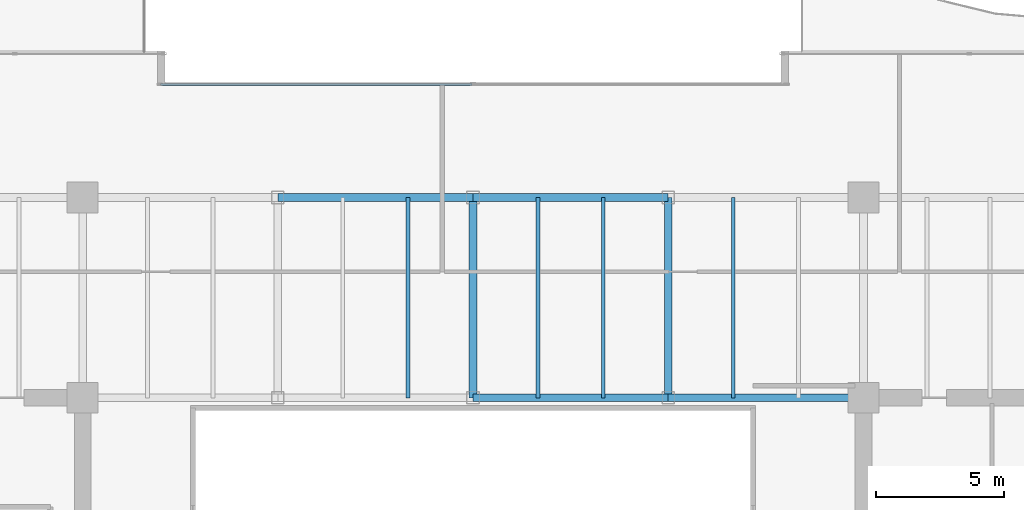
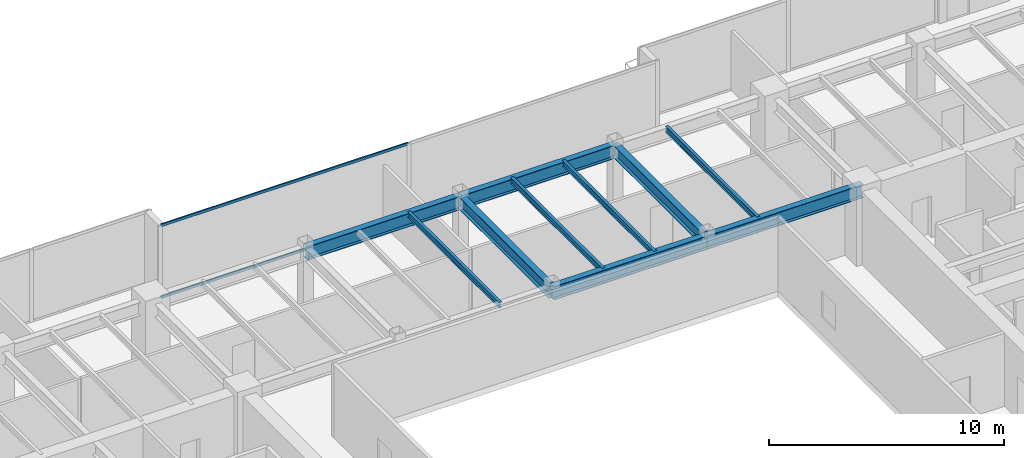
# One storey, part 15 of 30: 10 beams, 2 members, 1 element without a shape of its own.
"""IFC4 building model written with IfcOpenShell, lengths in metres."""

from ifc_helpers import new_model, si_unit, direction, frame, origin, origin_2d, place, context, subcontext, project, spatial, hollow_rectangle, i_section, extrude, source, transform, mapped, material, layer, layer_set, material_profile, profile_set, type_object, type_shapes, element, aggregate, save


model = new_model("IFC4")

# Units and contexts
model_context = context("Model", 3, precision=1e-05, world=origin(), true_north=direction((0.0, 1.0)))
body_context = subcontext(model_context, "Body", "Model", "MODEL_VIEW")
ifc_project = project(units=[si_unit("LENGTHUNIT", "METRE"), si_unit("AREAUNIT", "SQUARE_METRE"), si_unit("VOLUMEUNIT", "CUBIC_METRE"), si_unit("PLANEANGLEUNIT", "RADIAN"), si_unit("MASSUNIT", "GRAM", prefix="KILO")], contexts=[model_context])

# Site, building, storey
site_placement = place(None, origin())
site = spatial("IfcSite", under=ifc_project, at=site_placement, CompositionType="ELEMENT")
building_placement = place(site_placement, origin())
building = spatial("IfcBuilding", under=site, at=building_placement, Name="Haelvirn Gate Laboratories", CompositionType="ELEMENT")
storey_placement = place(building_placement, frame((0.0, 0.0, 146.10009765625)))
storey = spatial("IfcBuildingStorey", under=building, at=storey_placement, Name="L35", CompositionType="ELEMENT", Elevation=146.10009765625)

# Beams
ifc_material_1 = material(Name="Steel SM355", Category="steel")
ifc_material_profile_1 = material_profile(ifc_material_1, i_section(OverallWidth=0.300048828125, OverallDepth=0.64990234375, WebThickness=0.012939453125, FlangeThickness=0.02197265625, at=origin_2d()), Name="H-650x300x13x22")
ifc_profile_set_1 = profile_set([ifc_material_profile_1], Name="Steel SM355")
beam_type_1 = type_object("IfcBeamType", Name="BM-G-650", PredefinedType="BEAM", material=ifc_profile_set_1)
shared_shape_1 = source(origin(), body_context, "Body", "SweptSolid", [
    extrude(i_section(OverallWidth=0.300048828125, OverallDepth=0.64990234375, WebThickness=0.012939453125, FlangeThickness=0.02197265625, at=origin_2d()), origin(), (0.0, 0.0, 1.0), 7.800048828125),
])
type_shapes(beam_type_1, [shared_shape_1])
for number, where, z_axis, x_axis, name in (
    (1, (37.39990234375, 33.800048828125, 3.46484375), (0.0, 1.0, 0.0), (-1.0, 0.0, 0.0), "L35 Frame Girder X37.4 (33.8-41.6)"),
    (2, (45.0, 33.800048828125, 3.46484375), (0.0, 1.0, 0.0), (-1.0, 0.0, 0.0), "L35 Frame Girder X45.0 (33.8-41.6)"),
):
    element("IfcBeam", number, at=place(storey_placement, frame(where, z_axis=z_axis, x_axis=x_axis)), inside=storey, type_object=beam_type_1, Name=name, PredefinedType="BEAM", context=body_context, shape_type="MappedRepresentation", body=[
        mapped(shared_shape_1, transform((0.0, 0.0, 0.0), scale=1.0)),
    ])
ifc_material_profile_2 = material_profile(ifc_material_1, i_section(OverallWidth=0.300048828125, OverallDepth=0.699951171875, WebThickness=0.012939453125, FlangeThickness=0.02392578125, at=origin_2d()), Name="H-700x300x13x24")
ifc_profile_set_2 = profile_set([ifc_material_profile_2], Name="Steel SM355")
beam_type_2 = type_object("IfcBeamType", Name="BM-G-700", PredefinedType="BEAM", material=ifc_profile_set_2)
shared_shape_2 = source(origin(), body_context, "Body", "SweptSolid", [
    extrude(i_section(OverallWidth=0.300048828125, OverallDepth=0.699951171875, WebThickness=0.012939453125, FlangeThickness=0.02392578125, at=origin_2d()), origin(), (0.0, 0.0, 1.0), 7.60009765625),
])
for number, where, z_axis, x_axis, name in (
    (3, (37.39990234375, 33.800048828125, 3.43994140625), (1.0, 0.0, 0.0), (0.0, 1.0, 0.0), "L35 Primary Girder Y33.8 (37.4-45.0)"),
    (4, (45.0, 33.800048828125, 3.43994140625), (1.0, 0.0, 0.0), (0.0, 1.0, 0.0), "L35 Primary Girder Y33.8 (45.0-52.6)"),
    (5, (37.39990234375, 41.60009765625, 3.43994140625), (1.0, 0.0, 0.0), (0.0, 1.0, 0.0), "L35 Primary Girder Y41.6 (37.4-45.0)"),
):
    element("IfcBeam", number, at=place(storey_placement, frame(where, z_axis=z_axis, x_axis=x_axis)), inside=storey, type_object=beam_type_2, Name=name, PredefinedType="BEAM", context=body_context, shape_type="MappedRepresentation", body=[
        mapped(shared_shape_2, transform((0.0, 0.0, 0.0), scale=1.0)),
    ])
shared_shape_3 = source(origin(), body_context, "Body", "SweptSolid", [
    extrude(i_section(OverallWidth=0.300048828125, OverallDepth=0.699951171875, WebThickness=0.012939453125, FlangeThickness=0.02392578125, at=origin_2d()), origin(), (0.0, 0.0, 1.0), 7.599853515625),
])
type_shapes(beam_type_2, [shared_shape_2, shared_shape_3])
beam_placement = place(storey_placement, frame((29.800048828125, 41.60009765625, 3.43994140625), z_axis=(1.0, 0.0, 0.0), x_axis=(0.0, 1.0, 0.0)))
element("IfcBeam", 6, at=beam_placement, inside=storey, type_object=beam_type_2, Name="L35 Primary Girder Y41.6 (29.8-37.4)", PredefinedType="BEAM", context=body_context, shape_type="MappedRepresentation", body=[
    mapped(shared_shape_3, transform((0.0, 0.0, 0.0), scale=1.0)),
])
ifc_material_profile_3 = material_profile(ifc_material_1, i_section(OverallWidth=0.14990234375, OverallDepth=0.300048828125, WebThickness=0.006591796875, FlangeThickness=0.009033203125, at=origin_2d()), Name="H-300x150x6.5x9")
ifc_profile_set_3 = profile_set([ifc_material_profile_3], Name="Steel SM355")
beam_type_3 = type_object("IfcBeamType", Name="BM-J-300", PredefinedType="JOIST", material=ifc_profile_set_3)
shared_shape_4 = source(origin(), body_context, "Body", "SweptSolid", [
    extrude(i_section(OverallWidth=0.14990234375, OverallDepth=0.300048828125, WebThickness=0.006591796875, FlangeThickness=0.009033203125, at=origin_2d()), origin(), (0.0, 0.0, 1.0), 7.800048828125),
])
type_shapes(beam_type_3, [shared_shape_4])
for number, where, z_axis, x_axis, name in (
    (7, (34.8701171875, 33.800048828125, 3.639892578125), (0.0, 1.0, 0.0), (-1.0, 0.0, 0.0), "L35 Composite Lab Joist North X34.87"),
    (8, (39.929931640625, 33.800048828125, 3.639892578125), (0.0, 1.0, 0.0), (-1.0, 0.0, 0.0), "L35 Composite Lab Joist North X39.93"),
    (9, (42.469970703125, 33.800048828125, 3.639892578125), (0.0, 1.0, 0.0), (-1.0, 0.0, 0.0), "L35 Composite Lab Joist North X42.47"),
    (10, (47.530029296875, 33.800048828125, 3.639892578125), (0.0, 1.0, 0.0), (-1.0, 0.0, 0.0), "L35 Composite Lab Joist North X47.53"),
):
    element("IfcBeam", number, at=place(storey_placement, frame(where, z_axis=z_axis, x_axis=x_axis)), inside=storey, type_object=beam_type_3, Name=name, PredefinedType="JOIST", context=body_context, shape_type="MappedRepresentation", body=[
        mapped(shared_shape_4, transform((0.0, 0.0, 0.0), scale=1.0)),
    ])

# Curtain wall, members
ifc_material_2 = material(Name="Anodised bronze unitised aluminium & triple low-E glass", Category="aluminium")
ifc_layer = layer(ifc_material_2, 0.179931640625, Name="CW-SYS-3")
ifc_layer_set = layer_set([ifc_layer], Name="Anodised bronze unitised aluminium & triple low-E glass")
curtain_wall_type = type_object("IfcCurtainWallType", Name="CW-SYS-3", PredefinedType="NOTDEFINED", material=ifc_layer_set)
curtain_wall_placement = place(storey_placement, origin())
curtain_wall = element("IfcCurtainWall", 11, at=curtain_wall_placement, inside=storey, type_object=curtain_wall_type, Name="L35 Unitised Curtain Wall CW-L35-P0-E12-1", PredefinedType="NOTDEFINED")
ifc_material_3 = material(Name="Extruded aluminium 6063-T6 (anodised bronze)", Category="aluminium")
ifc_material_profile_4 = material_profile(ifc_material_3, hollow_rectangle(XDim=0.06494140625, YDim=0.139892578125, WallThickness=0.00390625, at=origin_2d()), Name="CWT-140x65x4")
ifc_profile_set_4 = profile_set([ifc_material_profile_4], Name="Extruded aluminium 6063-T6 (anodised bronze)")
member_type = type_object("IfcMemberType", Name="CWT-T140", PredefinedType="USERDEFINED", material=ifc_profile_set_4)
shared_shape_5 = source(origin(), body_context, "Body", "SweptSolid", [
    extrude(hollow_rectangle(XDim=0.06494140625, YDim=0.139892578125, WallThickness=0.00390625, at=origin_2d()), origin(), (0.0, 0.0, 1.0), 12.12744140625),
])
type_shapes(member_type, [shared_shape_5])
member_1_placement = place(storey_placement, frame((25.235107421875, 46.0, 0.032470703125), z_axis=(1.0, 0.0, 0.0), x_axis=(0.0, 1.0, 0.0)))
member_1 = element("IfcMember", 12, at=member_1_placement, type_object=member_type, Name="CW3 transom 1.1", ObjectType="TRANSOM", PredefinedType="USERDEFINED", context=body_context, shape_type="MappedRepresentation", body=[
    mapped(shared_shape_5, transform((0.0, 0.0, 0.0), scale=1.0)),
])
member_2_placement = place(storey_placement, frame((25.235107421875, 46.0, 3.75732421875), z_axis=(1.0, 0.0, 0.0), x_axis=(0.0, 1.0, 0.0)))
member_2 = element("IfcMember", 13, at=member_2_placement, type_object=member_type, Name="CW3 transom 1.2", ObjectType="TRANSOM", PredefinedType="USERDEFINED", context=body_context, shape_type="MappedRepresentation", body=[
    mapped(shared_shape_5, transform((0.0, 0.0, 0.0), scale=1.0)),
])
aggregate(curtain_wall, [member_1, member_2])

save(model, "model.ifc")
